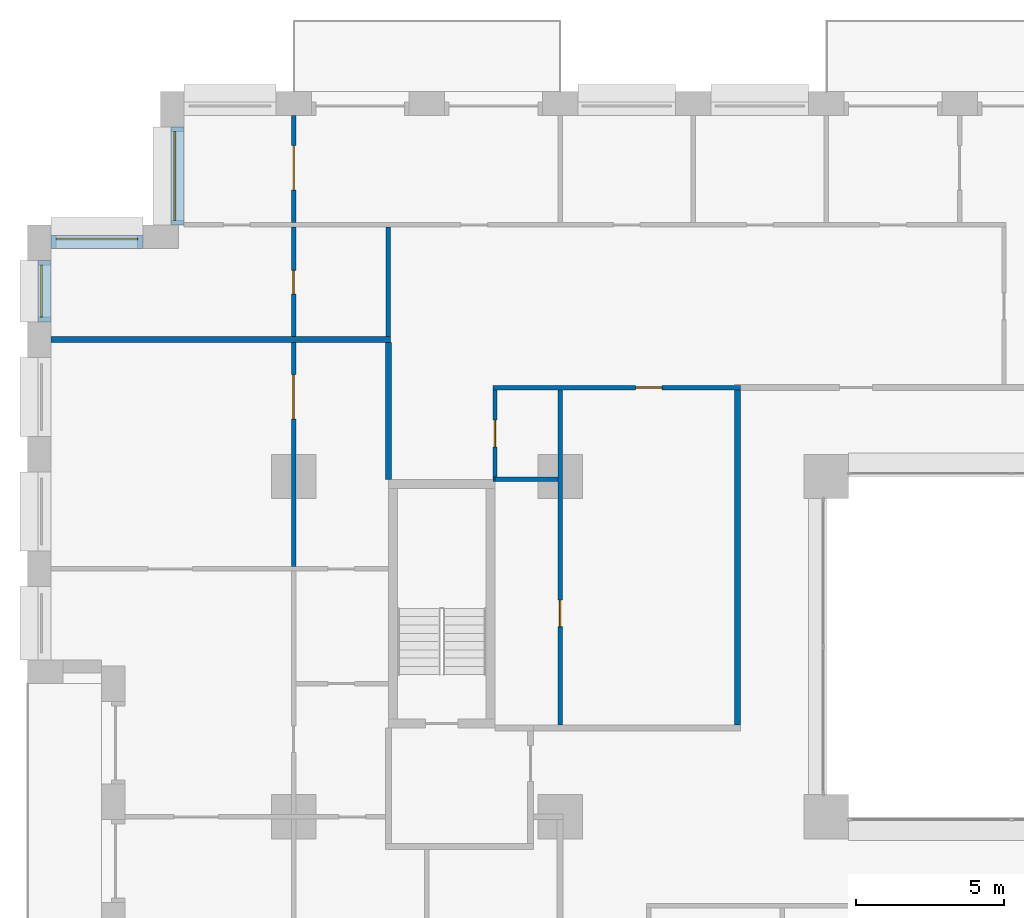
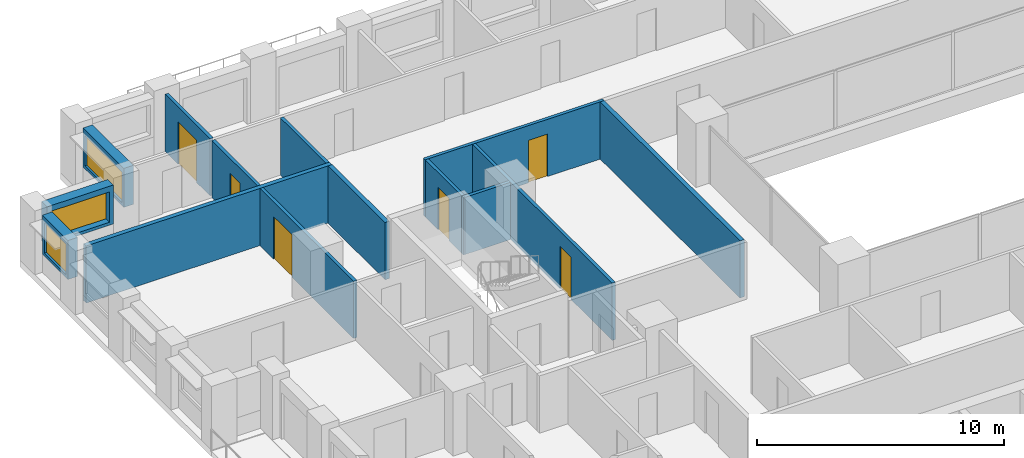
# One storey, part 14 of 20: 15 walls, 6 doors, 3 windows, 9 openings.
"""IFC4 building model written with IfcOpenShell, lengths in metres."""

from ifc_helpers import new_model, si_unit, direction, frame, frame_2d, origin, place, context, subcontext, project, spatial, rectangle, extrude, material, layer, layer_set, type_object, element, fill, save


model = new_model("IFC4")

# Units and contexts
model_context = context("Model", 3, precision=1e-05, world=origin(), true_north=direction((0.0, 1.0)))
body_context = subcontext(model_context, "Body", "Model", "MODEL_VIEW")
ifc_project = project(units=[si_unit("LENGTHUNIT", "METRE"), si_unit("AREAUNIT", "SQUARE_METRE"), si_unit("VOLUMEUNIT", "CUBIC_METRE"), si_unit("PLANEANGLEUNIT", "RADIAN"), si_unit("MASSUNIT", "GRAM", prefix="KILO")], contexts=[model_context])

# Site, building, storey
site_placement = place(None, origin())
site = spatial("IfcSite", under=ifc_project, at=site_placement, CompositionType="ELEMENT")
building_placement = place(site_placement, origin())
building = spatial("IfcBuilding", under=site, at=building_placement, Name="Brigalow Station Residences", CompositionType="ELEMENT")
storey_placement = place(building_placement, frame((0.0, 0.0, 54.14990234375)))
storey = spatial("IfcBuildingStorey", under=building, at=storey_placement, Name="L15", CompositionType="ELEMENT", Elevation=54.14990234375)

# Wall, opening, window
ifc_material_1 = material(Name="Clay brick masonry", Category="masonry")
ifc_layer_1 = layer(ifc_material_1, 0.449951171875)
ifc_layer_set_1 = layer_set([ifc_layer_1], Name="BRICK INFILL WALL 450")
wall_type_1 = type_object("IfcWallType", Name="BRICK INFILL WALL 450", PredefinedType="SOLIDWALL", material=ifc_layer_set_1)
wall_1_placement = place(storey_placement, frame((5.074951171875, 47.300048828125, 0.900146484375), z_axis=(0.0, 0.0, 1.0), x_axis=(0.0, -1.0, 0.0)))
wall_1 = element("IfcWall", 1, at=wall_1_placement, inside=storey, type_object=wall_type_1, Name="L15/ewall/W-L15-40", PredefinedType="SOLIDWALL", context=body_context, shape_type="SweptSolid", body=[
    extrude(rectangle(XDim=3.300048828125, YDim=0.449951171875, at=frame_2d((1.64990234375, 0.0))), origin(), (0.0, 0.0, 1.0), 1.929931640625),
])
opening_1_placement = place(wall_1_placement, frame((0.14990234375, 0.0, 0.14990234375)))
opening_1 = element("IfcOpeningElement", 2, at=opening_1_placement, cuts=wall_1, Name="Opening WT-2", PredefinedType="OPENING", context=body_context, shape_type="SweptSolid", body=[
    extrude(rectangle(XDim=3.0, YDim=1.5, at=frame_2d((1.5, 0.75))), frame((0.0, 0.23486328125, 0.0), z_axis=(0.0, -1.0, 0.0), x_axis=(1.0, 0.0, 0.0)), (0.0, 0.0, 1.0), 0.469970703125),
])
ifc_material_2 = material(Name="Anodised aluminium frame with double glazing", Category="aluminium")
window_type_1 = type_object("IfcWindowType", Name="WINDOW 3000x1500", PartitioningType="SINGLE_PANEL", PredefinedType="WINDOW", material=ifc_material_2)
window_1_placement = place(opening_1_placement, origin())
window_1 = element("IfcWindow", 3, at=window_1_placement, inside=storey, type_object=window_type_1, Name="L15/window/W-L15-40", OverallHeight=1.5, OverallWidth=3.0, PartitioningType="SINGLE_PANEL", PredefinedType="WINDOW", context=body_context, shape_type="SweptSolid", body=[
    extrude(rectangle(XDim=3.0, YDim=1.5, at=frame_2d((1.5, 0.75))), frame((0.0, -0.06494140625, 0.0), z_axis=(0.0, -1.0, 0.0), x_axis=(1.0, 0.0, 0.0)), (0.0, 0.0, 1.0), 0.06005859375),
])
fill(opening_1, window_1)

wall_2_placement = place(storey_placement, frame((3.89990234375, 43.425048828125, 0.900146484375), z_axis=(0.0, 0.0, 1.0), x_axis=(-1.0, 0.0, 0.0)))
wall_2 = element("IfcWall", 4, at=wall_2_placement, inside=storey, type_object=wall_type_1, Name="L15/ewall/W-L15-41", PredefinedType="SOLIDWALL", context=body_context, shape_type="SweptSolid", body=[
    extrude(rectangle(XDim=3.099853515625, YDim=0.449951171875, at=frame_2d((1.5498046875, 0.0))), origin(), (0.0, 0.0, 1.0), 1.929931640625),
])
opening_2_placement = place(wall_2_placement, frame((0.175048828125, 0.0, 0.14990234375)))
opening_2 = element("IfcOpeningElement", 5, at=opening_2_placement, cuts=wall_2, Name="Opening WT-3", PredefinedType="OPENING", context=body_context, shape_type="SweptSolid", body=[
    extrude(rectangle(XDim=2.75, YDim=1.5, at=frame_2d((1.375, 0.75))), frame((0.0, 0.23486328125, 0.0), z_axis=(0.0, -1.0, 0.0), x_axis=(1.0, 0.0, 0.0)), (0.0, 0.0, 1.0), 0.469970703125),
])
ifc_material_3 = material(Name="Anodised aluminium frame with double glazing", Category="aluminium")
window_type_2 = type_object("IfcWindowType", Name="WINDOW 2750x1500", PartitioningType="SINGLE_PANEL", PredefinedType="WINDOW", material=ifc_material_3)
window_2_placement = place(opening_2_placement, origin())
window_2 = element("IfcWindow", 6, at=window_2_placement, inside=storey, type_object=window_type_2, Name="L15/window/W-L15-41", OverallHeight=1.5, OverallWidth=2.75, PartitioningType="SINGLE_PANEL", PredefinedType="WINDOW", context=body_context, shape_type="SweptSolid", body=[
    extrude(rectangle(XDim=2.75, YDim=1.5, at=frame_2d((1.375, 0.75))), frame((0.0, -0.06494140625, 0.0), z_axis=(0.0, -1.0, 0.0), x_axis=(1.0, 0.0, 0.0)), (0.0, 0.0, 1.0), 0.06005859375),
])
fill(opening_2, window_2)

wall_3_placement = place(storey_placement, frame((0.574951171875, 42.800048828125, 0.900146484375), z_axis=(0.0, 0.0, 1.0), x_axis=(0.0, -1.0, 0.0)))
wall_3 = element("IfcWall", 7, at=wall_3_placement, inside=storey, type_object=wall_type_1, Name="L15/ewall/W-L15-42", PredefinedType="SOLIDWALL", context=body_context, shape_type="SweptSolid", body=[
    extrude(rectangle(XDim=2.074951171875, YDim=0.449951171875, at=frame_2d((1.03759765625, 0.0))), origin(), (0.0, 0.0, 1.0), 1.929931640625),
])
opening_3_placement = place(wall_3_placement, frame((0.16259765625, 0.0, 0.14990234375)))
opening_3 = element("IfcOpeningElement", 8, at=opening_3_placement, cuts=wall_3, Name="Opening WT-4", PredefinedType="OPENING", context=body_context, shape_type="SweptSolid", body=[
    extrude(rectangle(XDim=1.75, YDim=1.5, at=frame_2d((0.875, 0.75))), frame((0.0, 0.23486328125, 0.0), z_axis=(0.0, -1.0, 0.0), x_axis=(1.0, 0.0, 0.0)), (0.0, 0.0, 1.0), 0.469970703125),
])
ifc_material_4 = material(Name="Anodised aluminium frame with double glazing", Category="aluminium")
window_type_3 = type_object("IfcWindowType", Name="WINDOW 1750x1500", PartitioningType="SINGLE_PANEL", PredefinedType="WINDOW", material=ifc_material_4)
window_3_placement = place(opening_3_placement, origin())
window_3 = element("IfcWindow", 9, at=window_3_placement, inside=storey, type_object=window_type_3, Name="L15/window/W-L15-42", OverallHeight=1.5, OverallWidth=1.75, PartitioningType="SINGLE_PANEL", PredefinedType="WINDOW", context=body_context, shape_type="SweptSolid", body=[
    extrude(rectangle(XDim=1.75, YDim=1.5, at=frame_2d((0.875, 0.75))), frame((0.0, -0.06494140625, 0.0), z_axis=(0.0, -1.0, 0.0), x_axis=(1.0, 0.0, 0.0)), (0.0, 0.0, 1.0), 0.06005859375),
])
fill(opening_3, window_3)

# Wall, opening, door
ifc_material_5 = material(Name="Plasterboard on steel stud partition", Category="steel")
ifc_layer_2 = layer(ifc_material_5, 0.14990234375)
ifc_layer_set_2 = layer_set([ifc_layer_2], Name="FLAT PARTITION 150")
wall_type_2 = type_object("IfcWallType", Name="FLAT PARTITION 150", PredefinedType="PARTITIONING", material=ifc_layer_set_2)
wall_4_placement = place(storey_placement, frame((15.72509765625, 38.5, 0.0), z_axis=(0.0, 0.0, 1.0), x_axis=(1.0, 0.0, 0.0)))
wall_4 = element("IfcWall", 10, at=wall_4_placement, inside=storey, type_object=wall_type_2, Name="PW-1E08", PredefinedType="PARTITIONING", context=body_context, shape_type="SweptSolid", body=[
    extrude(rectangle(XDim=8.375, YDim=0.14990234375, at=frame_2d((4.1875, 0.0))), origin(), (0.0, 0.0, 1.0), 2.830078125),
])
opening_4_placement = place(wall_4_placement, frame((4.824951171875, 0.0, 0.0)))
opening_4 = element("IfcOpeningElement", 11, at=opening_4_placement, cuts=wall_4, Name="Opening D-1E30", PredefinedType="OPENING", context=body_context, shape_type="SweptSolid", body=[
    extrude(rectangle(XDim=0.89990234375, YDim=2.10009765625, at=frame_2d((0.449951171875, 1.050048828125))), frame((0.0, 0.0849609375, 0.0), z_axis=(0.0, -1.0, 0.0), x_axis=(1.0, 0.0, 0.0)), (0.0, 0.0, 1.0), 0.169921875),
])
ifc_material_6 = material(Name="Solid-core timber door leaf", Category="wood")
door_type_1 = type_object("IfcDoorType", Name="INTERNAL DOOR 900 x 2100", OperationType="SINGLE_SWING_LEFT", PredefinedType="DOOR", material=ifc_material_6)
door_1_placement = place(opening_4_placement, frame((0.89990234375, 0.0, 0.0), z_axis=(0.0, 0.0, 1.0), x_axis=(-1.0, 0.0, 0.0)))
door_1 = element("IfcDoor", 12, at=door_1_placement, inside=storey, type_object=door_type_1, Name="D-1E30", OperationType="SINGLE_SWING_LEFT", OverallHeight=2.10009765625, OverallWidth=0.89990234375, PredefinedType="DOOR", context=body_context, shape_type="SweptSolid", body=[
    extrude(rectangle(XDim=0.89990234375, YDim=2.10009765625, at=frame_2d((0.449951171875, 1.050048828125))), frame((0.0, 0.02490234375, 0.0), z_axis=(0.0, -1.0, 0.0), x_axis=(1.0, 0.0, 0.0)), (0.0, 0.0, 1.0), 0.050048828125),
])
fill(opening_4, door_1)

# Walls
wall_5_placement = place(storey_placement, frame((15.72509765625, 35.39990234375, 0.0), z_axis=(0.0, 0.0, 1.0), x_axis=(1.0, 0.0, 0.0)))
element("IfcWall", 13, at=wall_5_placement, inside=storey, type_object=wall_type_2, Name="PW-1E28", PredefinedType="PARTITIONING", context=body_context, shape_type="SweptSolid", body=[
    extrude(rectangle(XDim=0.074951171875, YDim=0.14990234375, at=frame_2d((0.03759765625, 0.0))), origin(), (0.0, 0.0, 1.0), 2.830078125),
])
wall_6_placement = place(storey_placement, frame((15.800048828125, 35.39990234375, 0.0), z_axis=(0.0, 0.0, 1.0), x_axis=(1.0, 0.0, 0.0)))
element("IfcWall", 14, at=wall_6_placement, inside=storey, type_object=wall_type_2, Name="PW-1E29", PredefinedType="PARTITIONING", context=body_context, shape_type="SweptSolid", body=[
    extrude(rectangle(XDim=2.125, YDim=0.14990234375, at=frame_2d((1.0625, 0.0))), origin(), (0.0, 0.0, 1.0), 2.830078125),
])

# Wall, opening, door
wall_7_placement = place(storey_placement, frame((18.0, 27.10009765625, 0.0), z_axis=(0.0, 0.0, 1.0), x_axis=(0.0, 1.0, 0.0)))
wall_7 = element("IfcWall", 15, at=wall_7_placement, inside=storey, type_object=wall_type_2, Name="PW-1E37", PredefinedType="PARTITIONING", context=body_context, shape_type="SweptSolid", body=[
    extrude(rectangle(XDim=11.324951171875, YDim=0.14990234375, at=frame_2d((5.66259765625, 0.0))), origin(), (0.0, 0.0, 1.0), 2.830078125),
])
opening_5_placement = place(wall_7_placement, frame((3.324951171875, 0.0, 0.0)))
opening_5 = element("IfcOpeningElement", 16, at=opening_5_placement, cuts=wall_7, Name="Opening D-1E33", PredefinedType="OPENING", context=body_context, shape_type="SweptSolid", body=[
    extrude(rectangle(XDim=0.89990234375, YDim=2.10009765625, at=frame_2d((0.449951171875, 1.050048828125))), frame((0.0, 0.0849609375, 0.0), z_axis=(0.0, -1.0, 0.0), x_axis=(1.0, 0.0, 0.0)), (0.0, 0.0, 1.0), 0.169921875),
])
door_2_placement = place(opening_5_placement, origin())
door_2 = element("IfcDoor", 17, at=door_2_placement, inside=storey, type_object=door_type_1, Name="D-1E33", OperationType="SINGLE_SWING_LEFT", OverallHeight=2.10009765625, OverallWidth=0.89990234375, PredefinedType="DOOR", context=body_context, shape_type="SweptSolid", body=[
    extrude(rectangle(XDim=0.89990234375, YDim=2.10009765625, at=frame_2d((0.449951171875, 1.050048828125))), frame((0.0, 0.02490234375, 0.0), z_axis=(0.0, -1.0, 0.0), x_axis=(1.0, 0.0, 0.0)), (0.0, 0.0, 1.0), 0.050048828125),
])
fill(opening_5, door_2)

wall_8_placement = place(storey_placement, frame((9.0, 32.449951171875, 0.0), z_axis=(0.0, 0.0, 1.0), x_axis=(0.0, 1.0, 0.0)))
wall_8 = element("IfcWall", 18, at=wall_8_placement, inside=storey, type_object=wall_type_2, Name="PW-1E52", PredefinedType="PARTITIONING", context=body_context, shape_type="SweptSolid", body=[
    extrude(rectangle(XDim=7.574951171875, YDim=0.14990234375, at=frame_2d((3.78759765625, 0.0))), origin(), (0.0, 0.0, 1.0), 2.830078125),
])
opening_6_placement = place(wall_8_placement, frame((4.988037109375, 0.0, 0.0)))
opening_6 = element("IfcOpeningElement", 19, at=opening_6_placement, cuts=wall_8, Name="Opening D-1E19", PredefinedType="OPENING", context=body_context, shape_type="SweptSolid", body=[
    extrude(rectangle(XDim=1.5, YDim=2.10009765625, at=frame_2d((0.75, 1.050048828125))), frame((0.0, 0.0849609375, 0.0), z_axis=(0.0, -1.0, 0.0), x_axis=(1.0, 0.0, 0.0)), (0.0, 0.0, 1.0), 0.169921875),
])
ifc_material_7 = material(Name="Solid-core timber door leaf", Category="wood")
door_type_2 = type_object("IfcDoorType", Name="INTERNAL DOUBLE DOOR 1500 x 2100", OperationType="DOUBLE_DOOR_SINGLE_SWING", PredefinedType="DOOR", material=ifc_material_7)
door_3_placement = place(opening_6_placement, frame((1.5, 0.0, 0.0), z_axis=(0.0, 0.0, 1.0), x_axis=(-1.0, 0.0, 0.0)))
door_3 = element("IfcDoor", 20, at=door_3_placement, inside=storey, type_object=door_type_2, Name="D-1E19", OperationType="DOUBLE_DOOR_SINGLE_SWING", OverallHeight=2.10009765625, OverallWidth=1.5, PredefinedType="DOOR", context=body_context, shape_type="SweptSolid", body=[
    extrude(rectangle(XDim=1.5, YDim=2.10009765625, at=frame_2d((0.75, 1.050048828125))), frame((0.0, 0.02490234375, 0.0), z_axis=(0.0, -1.0, 0.0), x_axis=(1.0, 0.0, 0.0)), (0.0, 0.0, 1.0), 0.050048828125),
])
fill(opening_6, door_3)

wall_9_placement = place(storey_placement, frame((9.0, 40.22509765625, 0.0), z_axis=(0.0, 0.0, 1.0), x_axis=(0.0, 1.0, 0.0)))
wall_9 = element("IfcWall", 21, at=wall_9_placement, inside=storey, type_object=wall_type_2, Name="PW-1E53", PredefinedType="PARTITIONING", context=body_context, shape_type="SweptSolid", body=[
    extrude(rectangle(XDim=3.699951171875, YDim=0.14990234375, at=frame_2d((1.85009765625, 0.0))), origin(), (0.0, 0.0, 1.0), 2.830078125),
])
opening_7_placement = place(wall_9_placement, frame((1.43701171875, 0.0, 0.0)))
opening_7 = element("IfcOpeningElement", 22, at=opening_7_placement, cuts=wall_9, Name="Opening D-1E26", PredefinedType="OPENING", context=body_context, shape_type="SweptSolid", body=[
    extrude(rectangle(XDim=0.800048828125, YDim=2.10009765625, at=frame_2d((0.39990234375, 1.050048828125))), frame((0.0, 0.0849609375, 0.0), z_axis=(0.0, -1.0, 0.0), x_axis=(1.0, 0.0, 0.0)), (0.0, 0.0, 1.0), 0.169921875),
])
ifc_material_8 = material(Name="Solid-core timber door leaf", Category="wood")
door_type_3 = type_object("IfcDoorType", Name="INTERNAL DOOR 800 x 2100", OperationType="SINGLE_SWING_LEFT", PredefinedType="DOOR", material=ifc_material_8)
door_4_placement = place(opening_7_placement, frame((0.800048828125, 0.0, 0.0), z_axis=(0.0, 0.0, 1.0), x_axis=(-1.0, 0.0, 0.0)))
door_4 = element("IfcDoor", 23, at=door_4_placement, inside=storey, type_object=door_type_3, Name="D-1E26", OperationType="SINGLE_SWING_RIGHT", OverallHeight=2.10009765625, OverallWidth=0.800048828125, PredefinedType="DOOR", context=body_context, shape_type="SweptSolid", body=[
    extrude(rectangle(XDim=0.800048828125, YDim=2.10009765625, at=frame_2d((0.39990234375, 1.050048828125))), frame((0.0, 0.02490234375, 0.0), z_axis=(0.0, -1.0, 0.0), x_axis=(1.0, 0.0, 0.0)), (0.0, 0.0, 1.0), 0.050048828125),
])
fill(opening_7, door_4)

wall_10_placement = place(storey_placement, frame((9.0, 44.074951171875, 0.0), z_axis=(0.0, 0.0, 1.0), x_axis=(0.0, 1.0, 0.0)))
wall_10 = element("IfcWall", 24, at=wall_10_placement, inside=storey, type_object=wall_type_2, Name="PW-1E54", PredefinedType="PARTITIONING", context=body_context, shape_type="SweptSolid", body=[
    extrude(rectangle(XDim=3.625, YDim=0.14990234375, at=frame_2d((1.8125, 0.0))), origin(), (0.0, 0.0, 1.0), 2.830078125),
])
opening_8_placement = place(wall_10_placement, frame((1.10009765625, 0.0, 0.0)))
opening_8 = element("IfcOpeningElement", 25, at=opening_8_placement, cuts=wall_10, Name="Opening D-1E25", PredefinedType="OPENING", context=body_context, shape_type="SweptSolid", body=[
    extrude(rectangle(XDim=1.5, YDim=2.10009765625, at=frame_2d((0.75, 1.050048828125))), frame((0.0, 0.0849609375, 0.0), z_axis=(0.0, -1.0, 0.0), x_axis=(1.0, 0.0, 0.0)), (0.0, 0.0, 1.0), 0.169921875),
])
door_5_placement = place(opening_8_placement, origin())
door_5 = element("IfcDoor", 26, at=door_5_placement, inside=storey, type_object=door_type_2, Name="D-1E25", OperationType="DOUBLE_DOOR_SINGLE_SWING", OverallHeight=2.10009765625, OverallWidth=1.5, PredefinedType="DOOR", context=body_context, shape_type="SweptSolid", body=[
    extrude(rectangle(XDim=1.5, YDim=2.10009765625, at=frame_2d((0.75, 1.050048828125))), frame((0.0, 0.02490234375, 0.0), z_axis=(0.0, -1.0, 0.0), x_axis=(1.0, 0.0, 0.0)), (0.0, 0.0, 1.0), 0.050048828125),
])
fill(opening_8, door_5)

# Wall
wall_11_placement = place(storey_placement, frame((12.199951171875, 40.22509765625, 0.0), z_axis=(0.0, 0.0, 1.0), x_axis=(0.0, 1.0, 0.0)))
element("IfcWall", 27, at=wall_11_placement, inside=storey, type_object=wall_type_2, Name="PW-1E58", PredefinedType="PARTITIONING", context=body_context, shape_type="SweptSolid", body=[
    extrude(rectangle(XDim=3.699951171875, YDim=0.14990234375, at=frame_2d((1.85009765625, 0.0))), origin(), (0.0, 0.0, 1.0), 2.830078125),
])

# Wall, opening, door
wall_12_placement = place(storey_placement, frame((15.800048828125, 35.47509765625, 0.0), z_axis=(0.0, 0.0, 1.0), x_axis=(0.0, 1.0, 0.0)))
wall_12 = element("IfcWall", 28, at=wall_12_placement, inside=storey, type_object=wall_type_2, Name="PW-1E62", PredefinedType="PARTITIONING", context=body_context, shape_type="SweptSolid", body=[
    extrude(rectangle(XDim=2.949951171875, YDim=0.14990234375, at=frame_2d((1.47509765625, 0.0))), origin(), (0.0, 0.0, 1.0), 2.830078125),
])
opening_9_placement = place(wall_12_placement, frame((1.02490234375, 0.0, 0.0)))
opening_9 = element("IfcOpeningElement", 29, at=opening_9_placement, cuts=wall_12, Name="Opening D-1E32", PredefinedType="OPENING", context=body_context, shape_type="SweptSolid", body=[
    extrude(rectangle(XDim=0.89990234375, YDim=2.10009765625, at=frame_2d((0.449951171875, 1.050048828125))), frame((0.0, 0.0849609375, 0.0), z_axis=(0.0, -1.0, 0.0), x_axis=(1.0, 0.0, 0.0)), (0.0, 0.0, 1.0), 0.169921875),
])
door_6_placement = place(opening_9_placement, frame((0.89990234375, 0.0, 0.0), z_axis=(0.0, 0.0, 1.0), x_axis=(-1.0, 0.0, 0.0)))
door_6 = element("IfcDoor", 30, at=door_6_placement, inside=storey, type_object=door_type_1, Name="D-1E32", OperationType="SINGLE_SWING_LEFT", OverallHeight=2.10009765625, OverallWidth=0.89990234375, PredefinedType="DOOR", context=body_context, shape_type="SweptSolid", body=[
    extrude(rectangle(XDim=0.89990234375, YDim=2.10009765625, at=frame_2d((0.449951171875, 1.050048828125))), frame((0.0, 0.02490234375, 0.0), z_axis=(0.0, -1.0, 0.0), x_axis=(1.0, 0.0, 0.0)), (0.0, 0.0, 1.0), 0.050048828125),
])
fill(opening_9, door_6)

# Walls
ifc_material_9 = material(Name="Plasterboard on steel stud partition", Category="steel")
ifc_layer_3 = layer(ifc_material_9, 0.199951171875)
ifc_layer_set_3 = layer_set([ifc_layer_3], Name="PARTY AND CORRIDOR WALL 200")
wall_type_3 = type_object("IfcWallType", Name="PARTY AND CORRIDOR WALL 200", PredefinedType="PARTITIONING", material=ifc_layer_set_3)
wall_13_placement = place(storey_placement, frame((0.800048828125, 40.125, 0.0), z_axis=(0.0, 0.0, 1.0), x_axis=(1.0, 0.0, 0.0)))
element("IfcWall", 31, at=wall_13_placement, inside=storey, type_object=wall_type_3, Name="PW-1E26", PredefinedType="PARTITIONING", context=body_context, shape_type="SweptSolid", body=[
    extrude(rectangle(XDim=11.474853515625, YDim=0.199951171875, at=frame_2d((5.7373046875, 0.0))), origin(), (0.0, 0.0, 1.0), 2.830078125),
])
wall_14_placement = place(storey_placement, frame((24.0, 27.10009765625, 0.0), z_axis=(0.0, 0.0, 1.0), x_axis=(0.0, 1.0, 0.0)))
element("IfcWall", 32, at=wall_14_placement, inside=storey, type_object=wall_type_3, Name="PW-1E46", PredefinedType="PARTITIONING", context=body_context, shape_type="SweptSolid", body=[
    extrude(rectangle(XDim=11.324951171875, YDim=0.199951171875, at=frame_2d((5.66259765625, 0.0))), origin(), (0.0, 0.0, 1.0), 2.830078125),
])
wall_15_placement = place(storey_placement, frame((12.199951171875, 35.39990234375, 0.0), z_axis=(0.0, 0.0, 1.0), x_axis=(0.0, 1.0, 0.0)))
element("IfcWall", 33, at=wall_15_placement, inside=storey, type_object=wall_type_3, Name="PW-1E59", PredefinedType="PARTITIONING", context=body_context, shape_type="SweptSolid", body=[
    extrude(rectangle(XDim=4.625, YDim=0.199951171875, at=frame_2d((2.3125, 0.0))), origin(), (0.0, 0.0, 1.0), 2.830078125),
])

save(model, "model.ifc")
